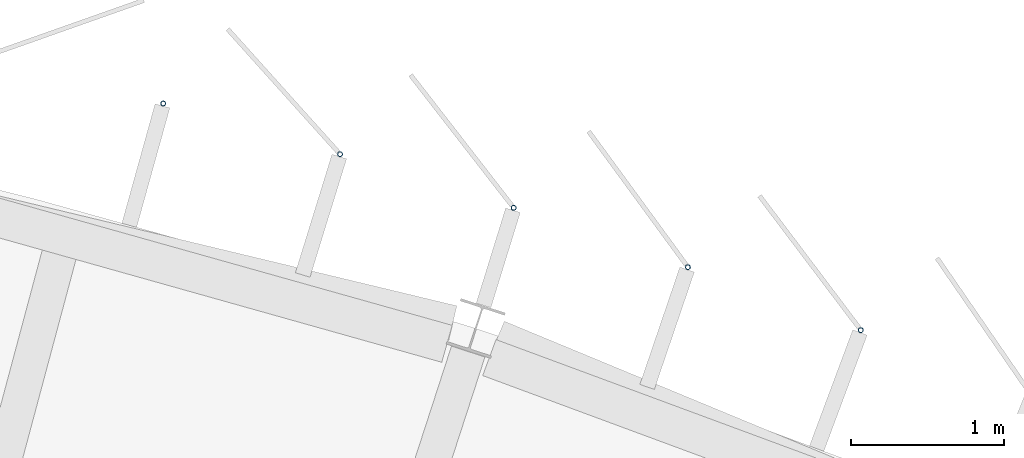
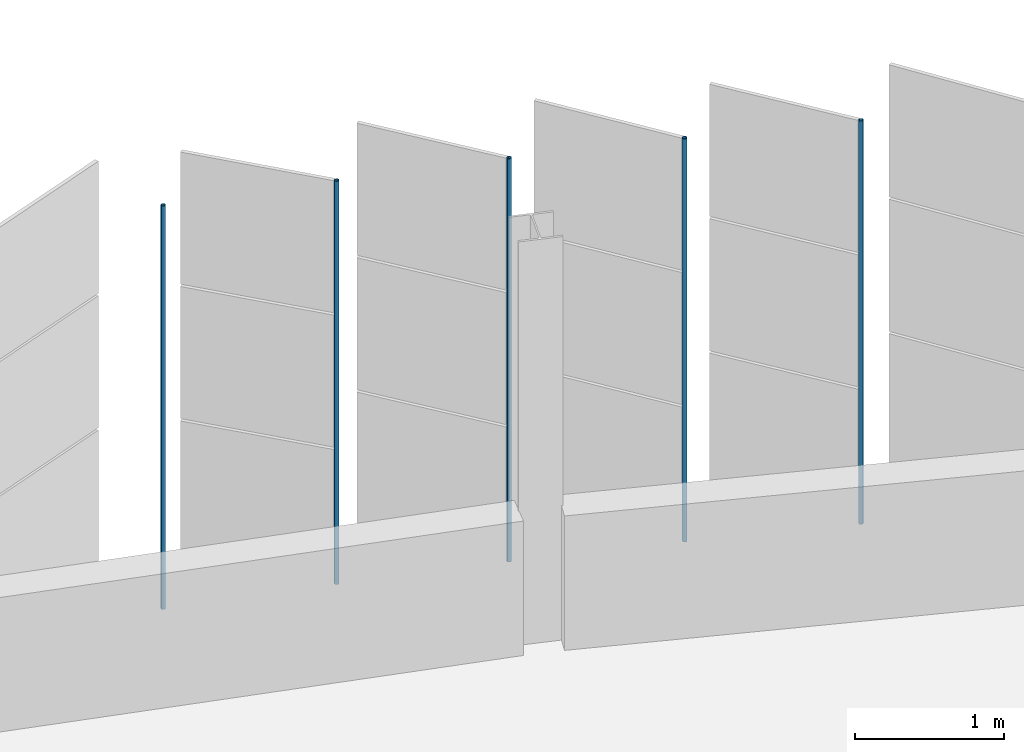
# One storey, part 172 of 214: 5 discrete accessories.
"""IFC4 building model written with IfcOpenShell, lengths in metres."""

from ifc_helpers import new_model, si_unit, direction, frame, origin, origin_2d, place, context, subcontext, project, spatial, hollow_circle, extrude, material, material_profile, profile_set, type_object, element, save


model = new_model("IFC4")

# Units and contexts
model_context = context("Model", 3, precision=1e-05, world=origin(), true_north=direction((0.0, 1.0)))
body_context = subcontext(model_context, "Body", "Model", "MODEL_VIEW")
ifc_project = project(units=[si_unit("LENGTHUNIT", "METRE"), si_unit("AREAUNIT", "SQUARE_METRE"), si_unit("VOLUMEUNIT", "CUBIC_METRE"), si_unit("PLANEANGLEUNIT", "RADIAN"), si_unit("MASSUNIT", "GRAM", prefix="KILO")], contexts=[model_context])

# Site, building, storey
site_placement = place(None, origin())
site = spatial("IfcSite", under=ifc_project, at=site_placement, CompositionType="ELEMENT")
building_placement = place(site_placement, origin())
building = spatial("IfcBuilding", under=site, at=building_placement, Name="Parallax Yard Mobility Hub", CompositionType="ELEMENT")
storey_placement = place(building_placement, frame((0.0, 0.0, 3.300048828125)))
storey = spatial("IfcBuildingStorey", under=building, at=storey_placement, Name="L01", CompositionType="ELEMENT", Elevation=3.300048828125)

# Discrete accessories
ifc_material = material(Name="Steel ASTM A500 Gr C, hot-dip galvanised", Category="steel")
ifc_material_profile = material_profile(ifc_material, hollow_circle(Radius=0.016845703125, WallThickness=0.003173828125, at=origin_2d()), Name="CHS 33.7x3.2")
ifc_profile_set = profile_set([ifc_material_profile], Name="Steel ASTM A500 Gr C, hot-dip galvanised")
discrete_accessory_type = type_object("IfcDiscreteAccessoryType", Name="Hinge post CHS 33.7x3.2", PredefinedType="BRACKET", material=ifc_profile_set)
for number, where, z_axis, x_axis, name in (
    (1, (191.233642578125, 139.919189453125, 0.0), (0.0, 0.0, 1.0), (1.0, 0.0, 0.0), "Hinge post bay 48.6 level L01"),
    (2, (190.1064453125, 140.32958984375, 0.0), (0.0, 0.0, 1.0), (1.0, 0.0, 0.0), "Hinge post bay 48.7 level L01"),
    (3, (188.970703125, 140.71630859375, 0.0), (0.0, 0.0, 1.0), (1.0, 0.0, 0.0), "Hinge post bay 49.1 level L01"),
    (4, (187.8388671875, 141.06640625, 0.0), (0.0, 0.0, 1.0), (1.0, 0.0, 0.0), "Hinge post bay 49.2 level L01"),
    (5, (186.685791015625, 141.396728515625, 0.0), (0.0, 0.0, 1.0), (1.0, 0.0, 0.0), "Hinge post bay 49.3 level L01"),
):
    element("IfcDiscreteAccessory", number, at=place(storey_placement, frame(where, z_axis=z_axis, x_axis=x_axis)), inside=storey, type_object=discrete_accessory_type, Name=name, PredefinedType="BRACKET", context=body_context, shape_type="SweptSolid", body=[
        extrude(hollow_circle(Radius=0.016845703125, WallThickness=0.003173828125, at=origin_2d()), origin(), (0.0, 0.0, 1.0), 3.300048828125),
    ])

save(model, "model.ifc")
